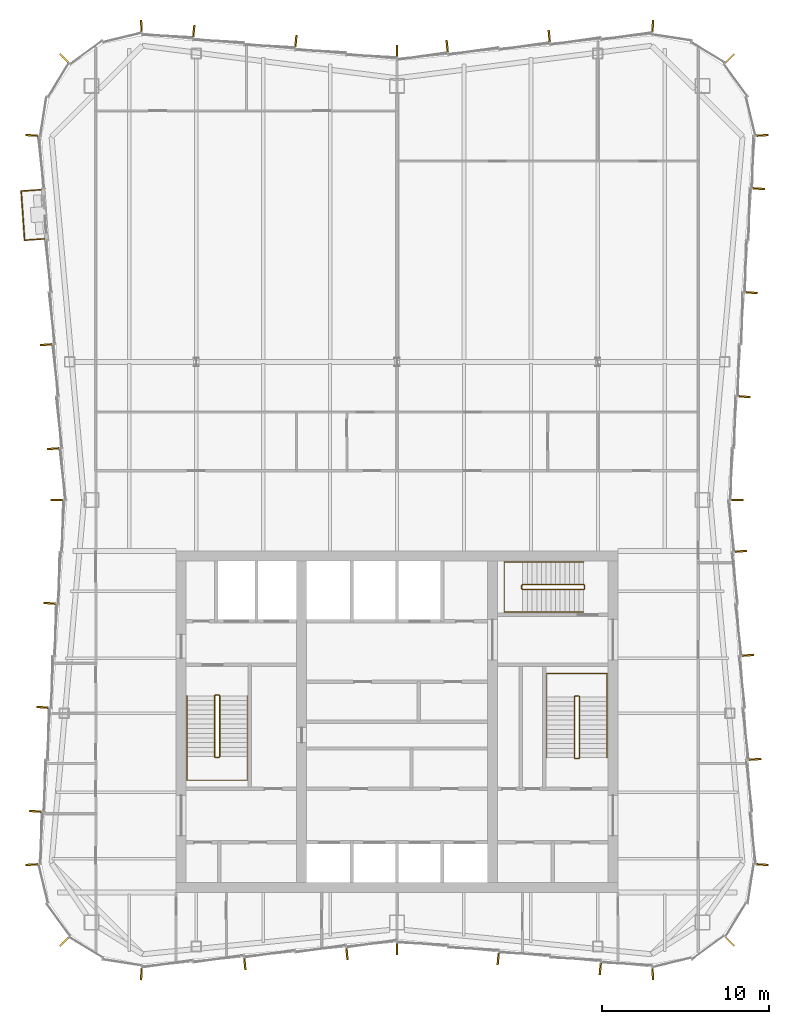
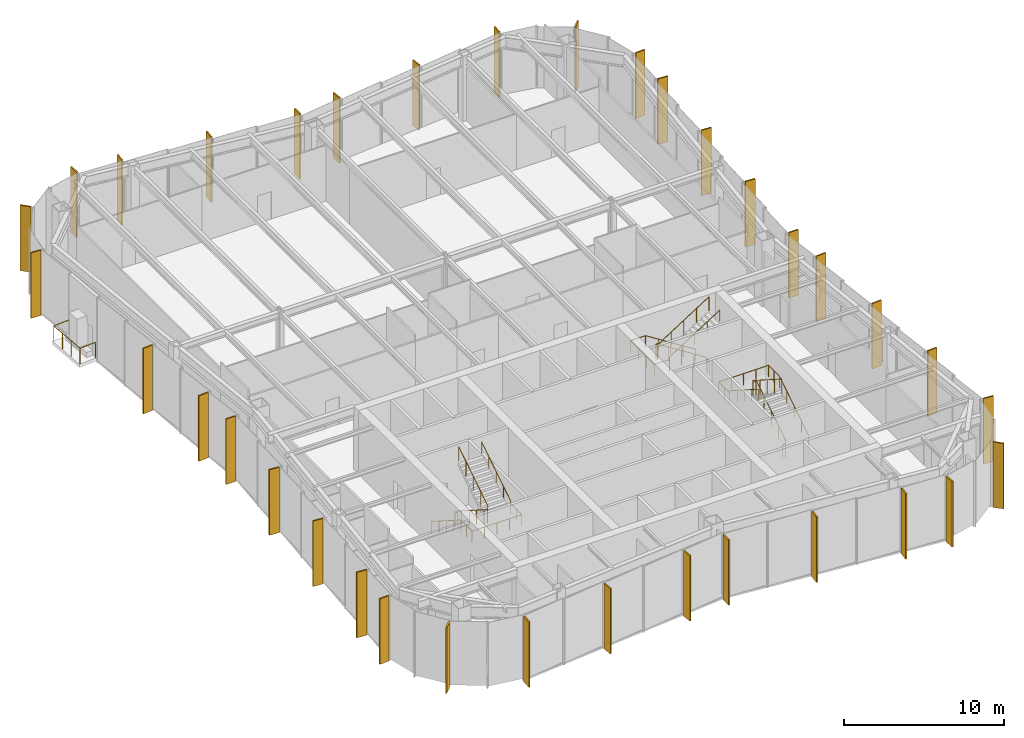
# One storey, part 13 of 14: 35 shading devices, 7 railings.
"""IFC4 building model written with IfcOpenShell, lengths in metres."""

from ifc_helpers import new_model, si_unit, direction, frame, origin, origin_2d, place, context, subcontext, project, spatial, rectangle, circle, extrude, material, layer, layer_set, type_object, element, save


model = new_model("IFC4")

# Units and contexts
model_context = context("Model", 3, precision=1e-05, world=origin(), true_north=direction((0.0, 1.0)))
body_context = subcontext(model_context, "Body", "Model", "MODEL_VIEW")
ifc_project = project(units=[si_unit("LENGTHUNIT", "METRE"), si_unit("AREAUNIT", "SQUARE_METRE"), si_unit("VOLUMEUNIT", "CUBIC_METRE"), si_unit("PLANEANGLEUNIT", "RADIAN"), si_unit("MASSUNIT", "GRAM", prefix="KILO")], contexts=[model_context])

# Site, building, storey
site_placement = place(None, origin())
site = spatial("IfcSite", under=ifc_project, at=site_placement, CompositionType="ELEMENT")
building_placement = place(site_placement, origin())
building = spatial("IfcBuilding", under=site, at=building_placement, Name="Verdant Reach Tower", CompositionType="ELEMENT")
storey_placement = place(building_placement, frame((0.0, 0.0, 289.0)))
storey = spatial("IfcBuildingStorey", under=building, at=storey_placement, Name="L66", CompositionType="ELEMENT", Elevation=289.0)

# Railings
ifc_material_1 = material(Name="Stainless steel", Category="steel")
railing_type_1 = type_object("IfcRailingType", Name="CO-GUARD", PredefinedType="GUARDRAIL", material=ifc_material_1)
railing_1_placement = place(storey_placement, frame((-10.64990234375, 29.60009765625, 0.0)))
element("IfcRailing", 1, at=railing_1_placement, inside=storey, type_object=railing_type_1, Name="L66 ST-1 stair guard 1", PredefinedType="GUARDRAIL", context=body_context, shape_type="SweptSolid", body=[
    extrude(circle(Radius=0.02392578125, at=origin_2d()), frame((0.0, 0.0, 1.076171875), z_axis=(-1.0, 0.0, 0.0), x_axis=(0.0, -1.0, 0.0)), (0.0, 0.0, 1.0), 0.2001953125),
    extrude(circle(Radius=0.02392578125, at=origin_2d()), frame((-0.2001953125, 0.0, 1.076171875), z_axis=(-0.25949872427, -0.26077077684, 0.929870428634), x_axis=(0.708833529934, -0.705375805398, 0.0)), (0.0, 0.0, 1.0), 0.19189453125),
    extrude(circle(Radius=0.02392578125, at=origin_2d()), frame((-0.25, -0.050048828125, 1.25439453125), z_axis=(0.0, -0.843127859045, 0.537713132908), x_axis=(1.0, 0.0, 0.0)), (0.0, 0.0, 1.0), 4.3173828125),
    extrude(circle(Radius=0.02392578125, at=origin_2d()), frame((-0.25, -3.690185546875, 3.576171875), z_axis=(0.707106781187, -0.707106781187, 0.0), x_axis=(0.707106781187, 0.707106781187, 0.0)), (0.0, 0.0, 1.0), 0.0703125),
    extrude(circle(Radius=0.02392578125, at=origin_2d()), frame((-0.2001953125, -3.739990234375, 3.576171875), z_axis=(1.0, 0.0, 0.0), x_axis=(0.0, 1.0, 0.0)), (0.0, 0.0, 1.0), 0.2001953125),
    extrude(circle(Radius=0.02392578125, at=origin_2d()), frame((0.0, -3.739990234375, 3.576171875), z_axis=(0.259584636361, 0.259584636361, 0.930178280294), x_axis=(-0.707106781187, 0.707106781187, 0.0)), (0.0, 0.0, 1.0), 0.19189453125),
    extrude(circle(Radius=0.02392578125, at=origin_2d()), frame((0.0498046875, -3.690185546875, 3.75439453125), z_axis=(0.0, 0.843127859045, 0.537713132908), x_axis=(-1.0, 0.0, 0.0)), (0.0, 0.0, 1.0), 4.3173828125),
    extrude(circle(Radius=0.02099609375, at=origin_2d()), origin(), (0.0, 0.0, 1.0), 1.052001953125),
    extrude(circle(Radius=0.02099609375, at=origin_2d()), frame((-0.2001953125, 0.0, 0.0)), (0.0, 0.0, 1.0), 1.052001953125),
    extrude(circle(Radius=0.02099609375, at=origin_2d()), frame((-0.25, -0.050048828125, 0.178466796875)), (0.0, 0.0, 1.0), 1.052001953125),
    extrude(circle(Radius=0.02099609375, at=origin_2d()), frame((-0.25, -0.9599609375, 0.7587890625)), (0.0, 0.0, 1.0), 1.052001953125),
    extrude(circle(Radius=0.02099609375, at=origin_2d()), frame((-0.25, -1.8701171875, 1.33935546875)), (0.0, 0.0, 1.0), 1.052001953125),
    extrude(circle(Radius=0.02099609375, at=origin_2d()), frame((-0.25, -2.7802734375, 1.919677734375)), (0.0, 0.0, 1.0), 1.052001953125),
    extrude(circle(Radius=0.02099609375, at=origin_2d()), frame((-0.25, -3.690185546875, 2.5)), (0.0, 0.0, 1.0), 1.052001953125),
    extrude(circle(Radius=0.02099609375, at=origin_2d()), frame((-0.2001953125, -3.739990234375, 2.5)), (0.0, 0.0, 1.0), 1.052001953125),
    extrude(circle(Radius=0.02099609375, at=origin_2d()), frame((0.0, -3.739990234375, 2.5)), (0.0, 0.0, 1.0), 1.052001953125),
    extrude(circle(Radius=0.02099609375, at=origin_2d()), frame((0.0498046875, -3.690185546875, 2.678466796875)), (0.0, 0.0, 1.0), 1.052001953125),
    extrude(circle(Radius=0.02099609375, at=origin_2d()), frame((0.0498046875, -2.7802734375, 3.2587890625)), (0.0, 0.0, 1.0), 1.052001953125),
    extrude(circle(Radius=0.02099609375, at=origin_2d()), frame((0.0498046875, -1.8701171875, 3.83935546875)), (0.0, 0.0, 1.0), 1.052001953125),
    extrude(circle(Radius=0.02099609375, at=origin_2d()), frame((0.0498046875, -0.9599609375, 4.419677734375)), (0.0, 0.0, 1.0), 1.052001953125),
    extrude(circle(Radius=0.02099609375, at=origin_2d()), frame((0.0498046875, -0.050048828125, 5.0)), (0.0, 0.0, 1.0), 1.052001953125),
])
railing_2_placement = place(storey_placement, frame((10.64990234375, 25.800048828125, 0.0)))
element("IfcRailing", 2, at=railing_2_placement, inside=storey, type_object=railing_type_1, Name="L66 ST-2 stair guard 1", PredefinedType="GUARDRAIL", context=body_context, shape_type="SweptSolid", body=[
    extrude(circle(Radius=0.02392578125, at=origin_2d()), frame((0.0, 0.0, 1.076171875), z_axis=(1.0, 0.0, 0.0), x_axis=(0.0, 1.0, 0.0)), (0.0, 0.0, 1.0), 0.2001953125),
    extrude(circle(Radius=0.02392578125, at=origin_2d()), frame((0.2001953125, 0.0, 1.076171875), z_axis=(0.25949872427, 0.26077077684, 0.929870428634), x_axis=(-0.708833529934, 0.705375805398, 0.0)), (0.0, 0.0, 1.0), 0.19189453125),
    extrude(circle(Radius=0.02392578125, at=origin_2d()), frame((0.25, 0.050048828125, 1.25439453125), z_axis=(0.0, 0.843111507901, 0.53773877045), x_axis=(-1.0, 0.0, 0.0)), (0.0, 0.0, 1.0), 4.317138671875),
    extrude(circle(Radius=0.02392578125, at=origin_2d()), frame((0.25, 3.68994140625, 3.576171875), z_axis=(-0.705375805398, 0.708833529934, 0.0), x_axis=(-0.708833529934, -0.705375805398, 0.0)), (0.0, 0.0, 1.0), 0.070556640625),
    extrude(circle(Radius=0.02392578125, at=origin_2d()), frame((0.2001953125, 3.739990234375, 3.576171875), z_axis=(-1.0, 0.0, 0.0), x_axis=(0.0, -1.0, 0.0)), (0.0, 0.0, 1.0), 0.2001953125),
    extrude(circle(Radius=0.02392578125, at=origin_2d()), frame((0.0, 3.739990234375, 3.576171875), z_axis=(-0.25949872427, -0.26077077684, 0.929870428634), x_axis=(0.708833529934, -0.705375805398, 0.0)), (0.0, 0.0, 1.0), 0.19189453125),
    extrude(circle(Radius=0.02392578125, at=origin_2d()), frame((-0.0498046875, 3.68994140625, 3.75439453125), z_axis=(0.0, -0.843111507901, 0.53773877045), x_axis=(1.0, 0.0, 0.0)), (0.0, 0.0, 1.0), 4.317138671875),
    extrude(circle(Radius=0.02099609375, at=origin_2d()), origin(), (0.0, 0.0, 1.0), 1.052001953125),
    extrude(circle(Radius=0.02099609375, at=origin_2d()), frame((0.2001953125, 0.0, 0.0)), (0.0, 0.0, 1.0), 1.052001953125),
    extrude(circle(Radius=0.02099609375, at=origin_2d()), frame((0.25, 0.050048828125, 0.178466796875)), (0.0, 0.0, 1.0), 1.052001953125),
    extrude(circle(Radius=0.02099609375, at=origin_2d()), frame((0.25, 0.9599609375, 0.7587890625)), (0.0, 0.0, 1.0), 1.052001953125),
    extrude(circle(Radius=0.02099609375, at=origin_2d()), frame((0.25, 1.8701171875, 1.33935546875)), (0.0, 0.0, 1.0), 1.052001953125),
    extrude(circle(Radius=0.02099609375, at=origin_2d()), frame((0.25, 2.780029296875, 1.919677734375)), (0.0, 0.0, 1.0), 1.052001953125),
    extrude(circle(Radius=0.02099609375, at=origin_2d()), frame((0.25, 3.68994140625, 2.5)), (0.0, 0.0, 1.0), 1.052001953125),
    extrude(circle(Radius=0.02099609375, at=origin_2d()), frame((0.2001953125, 3.739990234375, 2.5)), (0.0, 0.0, 1.0), 1.052001953125),
    extrude(circle(Radius=0.02099609375, at=origin_2d()), frame((0.0, 3.739990234375, 2.5)), (0.0, 0.0, 1.0), 1.052001953125),
    extrude(circle(Radius=0.02099609375, at=origin_2d()), frame((-0.0498046875, 3.68994140625, 2.678466796875)), (0.0, 0.0, 1.0), 1.052001953125),
    extrude(circle(Radius=0.02099609375, at=origin_2d()), frame((-0.0498046875, 2.780029296875, 3.2587890625)), (0.0, 0.0, 1.0), 1.052001953125),
    extrude(circle(Radius=0.02099609375, at=origin_2d()), frame((-0.0498046875, 1.8701171875, 3.83935546875)), (0.0, 0.0, 1.0), 1.052001953125),
    extrude(circle(Radius=0.02099609375, at=origin_2d()), frame((-0.0498046875, 0.9599609375, 4.419677734375)), (0.0, 0.0, 1.0), 1.052001953125),
    extrude(circle(Radius=0.02099609375, at=origin_2d()), frame((-0.0498046875, 0.050048828125, 5.0)), (0.0, 0.0, 1.0), 1.052001953125),
])
railing_3_placement = place(storey_placement, frame((11.199951171875, 35.949951171875, 0.0)))
element("IfcRailing", 3, at=railing_3_placement, inside=storey, type_object=railing_type_1, Name="L66 ST-3 stair guard 1", PredefinedType="GUARDRAIL", context=body_context, shape_type="SweptSolid", body=[
    extrude(circle(Radius=0.02392578125, at=origin_2d()), frame((0.0, 0.0, 1.076171875), z_axis=(0.0, 1.0, 0.0), x_axis=(-1.0, 0.0, 0.0)), (0.0, 0.0, 1.0), 0.199951171875),
    extrude(circle(Radius=0.02392578125, at=origin_2d()), frame((0.0, 0.199951171875, 1.076171875), z_axis=(-0.260684529273, 0.260684529273, 0.929562882432), x_axis=(-0.707106781187, -0.707106781187, 0.0)), (0.0, 0.0, 1.0), 0.19189453125),
    extrude(circle(Radius=0.02392578125, at=origin_2d()), frame((-0.050048828125, 0.25, 1.25439453125), z_axis=(-0.843111507901, 0.0, 0.53773877045), x_axis=(0.0, -1.0, 0.0)), (0.0, 0.0, 1.0), 4.317138671875),
    extrude(circle(Radius=0.02392578125, at=origin_2d()), frame((-3.68994140625, 0.25, 3.576171875), z_axis=(-0.707106781187, -0.707106781187, 0.0), x_axis=(0.707106781187, -0.707106781187, 0.0)), (0.0, 0.0, 1.0), 0.07080078125),
    extrude(circle(Radius=0.02392578125, at=origin_2d()), frame((-3.739990234375, 0.199951171875, 3.576171875), z_axis=(0.0, -1.0, 0.0), x_axis=(1.0, 0.0, 0.0)), (0.0, 0.0, 1.0), 0.199951171875),
    extrude(circle(Radius=0.02392578125, at=origin_2d()), frame((-3.739990234375, 0.0, 3.576171875), z_axis=(0.260684529273, -0.260684529273, 0.929562882432), x_axis=(0.707106781187, 0.707106781187, 0.0)), (0.0, 0.0, 1.0), 0.19189453125),
    extrude(circle(Radius=0.02392578125, at=origin_2d()), frame((-3.68994140625, -0.050048828125, 3.75439453125), z_axis=(0.843111507901, 0.0, 0.53773877045), x_axis=(0.0, 1.0, 0.0)), (0.0, 0.0, 1.0), 4.317138671875),
    extrude(circle(Radius=0.02099609375, at=origin_2d()), origin(), (0.0, 0.0, 1.0), 1.052001953125),
    extrude(circle(Radius=0.02099609375, at=origin_2d()), frame((0.0, 0.199951171875, 0.0)), (0.0, 0.0, 1.0), 1.052001953125),
    extrude(circle(Radius=0.02099609375, at=origin_2d()), frame((-0.050048828125, 0.25, 0.178466796875)), (0.0, 0.0, 1.0), 1.052001953125),
    extrude(circle(Radius=0.02099609375, at=origin_2d()), frame((-0.9599609375, 0.25, 0.7587890625)), (0.0, 0.0, 1.0), 1.052001953125),
    extrude(circle(Radius=0.02099609375, at=origin_2d()), frame((-1.8701171875, 0.25, 1.33935546875)), (0.0, 0.0, 1.0), 1.052001953125),
    extrude(circle(Radius=0.02099609375, at=origin_2d()), frame((-2.780029296875, 0.25, 1.919677734375)), (0.0, 0.0, 1.0), 1.052001953125),
    extrude(circle(Radius=0.02099609375, at=origin_2d()), frame((-3.68994140625, 0.25, 2.5)), (0.0, 0.0, 1.0), 1.052001953125),
    extrude(circle(Radius=0.02099609375, at=origin_2d()), frame((-3.739990234375, 0.199951171875, 2.5)), (0.0, 0.0, 1.0), 1.052001953125),
    extrude(circle(Radius=0.02099609375, at=origin_2d()), frame((-3.739990234375, 0.0, 2.5)), (0.0, 0.0, 1.0), 1.052001953125),
    extrude(circle(Radius=0.02099609375, at=origin_2d()), frame((-3.68994140625, -0.050048828125, 2.678466796875)), (0.0, 0.0, 1.0), 1.052001953125),
    extrude(circle(Radius=0.02099609375, at=origin_2d()), frame((-2.780029296875, -0.050048828125, 3.2587890625)), (0.0, 0.0, 1.0), 1.052001953125),
    extrude(circle(Radius=0.02099609375, at=origin_2d()), frame((-1.8701171875, -0.050048828125, 3.83935546875)), (0.0, 0.0, 1.0), 1.052001953125),
    extrude(circle(Radius=0.02099609375, at=origin_2d()), frame((-0.9599609375, -0.050048828125, 4.419677734375)), (0.0, 0.0, 1.0), 1.052001953125),
    extrude(circle(Radius=0.02099609375, at=origin_2d()), frame((-0.050048828125, -0.050048828125, 5.0)), (0.0, 0.0, 1.0), 1.052001953125),
])
railing_type_2 = type_object("IfcRailingType", Name="CO-HANDRAIL", PredefinedType="HANDRAIL", material=ifc_material_1)
railing_4_placement = place(storey_placement, frame((-12.550048828125, 29.550048828125, 0.178466796875)))
element("IfcRailing", 4, at=railing_4_placement, inside=storey, type_object=railing_type_2, Name="L66 ST-1 stair handrail 1", PredefinedType="HANDRAIL", context=body_context, shape_type="SweptSolid", body=[
    extrude(circle(Radius=0.02392578125, at=origin_2d()), frame((0.0, 0.0, 0.8759765625), z_axis=(0.0, -0.843127859045, 0.537713132908), x_axis=(1.0, 0.0, 0.0)), (0.0, 0.0, 1.0), 4.3173828125),
    extrude(circle(Radius=0.02392578125, at=origin_2d()), frame((0.0, -3.64013671875, 3.197265625), z_axis=(0.0, -1.0, 0.0), x_axis=(1.0, 0.0, 0.0)), (0.0, 0.0, 1.0), 1.39990234375),
    extrude(circle(Radius=0.02392578125, at=origin_2d()), frame((0.0, -5.0400390625, 3.197265625), z_axis=(1.0, 0.0, 0.0), x_axis=(0.0, 1.0, 0.0)), (0.0, 0.0, 1.0), 3.60009765625),
    extrude(circle(Radius=0.02392578125, at=origin_2d()), frame((3.60009765625, -5.0400390625, 3.197265625), z_axis=(0.0, 1.0, 0.0), x_axis=(-1.0, 0.0, 0.0)), (0.0, 0.0, 1.0), 1.39990234375),
    extrude(circle(Radius=0.02392578125, at=origin_2d()), frame((3.60009765625, -3.64013671875, 3.197265625), z_axis=(0.0, 0.0, 1.0), x_axis=(1.0, 0.0, 0.0)), (0.0, 0.0, 1.0), 0.178466796875),
    extrude(circle(Radius=0.02392578125, at=origin_2d()), frame((3.60009765625, -3.64013671875, 3.3759765625), z_axis=(0.0, 0.843127859045, 0.537713132908), x_axis=(-1.0, 0.0, 0.0)), (0.0, 0.0, 1.0), 4.3173828125),
    extrude(circle(Radius=0.02099609375, at=origin_2d()), origin(), (0.0, 0.0, 1.0), 0.851806640625),
    extrude(circle(Radius=0.02099609375, at=origin_2d()), frame((0.0, -0.91015625, 0.580322265625)), (0.0, 0.0, 1.0), 0.851806640625),
    extrude(circle(Radius=0.02099609375, at=origin_2d()), frame((0.0, -1.820068359375, 1.16064453125)), (0.0, 0.0, 1.0), 0.851806640625),
    extrude(circle(Radius=0.02099609375, at=origin_2d()), frame((0.0, -2.72998046875, 1.7412109375)), (0.0, 0.0, 1.0), 0.851806640625),
    extrude(circle(Radius=0.02099609375, at=origin_2d()), frame((0.0, -3.64013671875, 2.321533203125)), (0.0, 0.0, 1.0), 0.851806640625),
    extrude(circle(Radius=0.02099609375, at=origin_2d()), frame((0.0, -4.340087890625, 2.321533203125)), (0.0, 0.0, 1.0), 0.851806640625),
    extrude(circle(Radius=0.02099609375, at=origin_2d()), frame((0.0, -5.0400390625, 2.321533203125)), (0.0, 0.0, 1.0), 0.851806640625),
    extrude(circle(Radius=0.02099609375, at=origin_2d()), frame((0.89990234375, -5.0400390625, 2.321533203125)), (0.0, 0.0, 1.0), 0.851806640625),
    extrude(circle(Radius=0.02099609375, at=origin_2d()), frame((1.800048828125, -5.0400390625, 2.321533203125)), (0.0, 0.0, 1.0), 0.851806640625),
    extrude(circle(Radius=0.02099609375, at=origin_2d()), frame((2.7001953125, -5.0400390625, 2.321533203125)), (0.0, 0.0, 1.0), 0.851806640625),
    extrude(circle(Radius=0.02099609375, at=origin_2d()), frame((3.60009765625, -5.0400390625, 2.321533203125)), (0.0, 0.0, 1.0), 0.851806640625),
    extrude(circle(Radius=0.02099609375, at=origin_2d()), frame((3.60009765625, -4.340087890625, 2.321533203125)), (0.0, 0.0, 1.0), 0.851806640625),
    extrude(circle(Radius=0.02099609375, at=origin_2d()), frame((3.60009765625, -3.64013671875, 2.321533203125)), (0.0, 0.0, 1.0), 0.851806640625),
    extrude(circle(Radius=0.02099609375, at=origin_2d()), frame((3.60009765625, -3.64013671875, 2.5)), (0.0, 0.0, 1.0), 0.851806640625),
    extrude(circle(Radius=0.02099609375, at=origin_2d()), frame((3.60009765625, -2.72998046875, 3.080322265625)), (0.0, 0.0, 1.0), 0.851806640625),
    extrude(circle(Radius=0.02099609375, at=origin_2d()), frame((3.60009765625, -1.820068359375, 3.66064453125)), (0.0, 0.0, 1.0), 0.851806640625),
    extrude(circle(Radius=0.02099609375, at=origin_2d()), frame((3.60009765625, -0.91015625, 4.2412109375)), (0.0, 0.0, 1.0), 0.851806640625),
    extrude(circle(Radius=0.02099609375, at=origin_2d()), frame((3.60009765625, 0.0, 4.821533203125)), (0.0, 0.0, 1.0), 0.851806640625),
])
railing_5_placement = place(storey_placement, frame((12.550048828125, 25.85009765625, 0.178466796875)))
element("IfcRailing", 5, at=railing_5_placement, inside=storey, type_object=railing_type_2, Name="L66 ST-2 stair handrail 1", PredefinedType="HANDRAIL", context=body_context, shape_type="SweptSolid", body=[
    extrude(circle(Radius=0.02392578125, at=origin_2d()), frame((0.0, 0.0, 0.8759765625), z_axis=(0.0, 0.843111507901, 0.53773877045), x_axis=(-1.0, 0.0, 0.0)), (0.0, 0.0, 1.0), 4.317138671875),
    extrude(circle(Radius=0.02392578125, at=origin_2d()), frame((0.0, 3.639892578125, 3.197265625), z_axis=(0.0, 1.0, 0.0), x_axis=(-1.0, 0.0, 0.0)), (0.0, 0.0, 1.0), 1.39990234375),
    extrude(circle(Radius=0.02392578125, at=origin_2d()), frame((0.0, 5.039794921875, 3.197265625), z_axis=(-1.0, 0.0, 0.0), x_axis=(0.0, -1.0, 0.0)), (0.0, 0.0, 1.0), 3.60009765625),
    extrude(circle(Radius=0.02392578125, at=origin_2d()), frame((-3.60009765625, 5.039794921875, 3.197265625), z_axis=(0.0, -1.0, 0.0), x_axis=(1.0, 0.0, 0.0)), (0.0, 0.0, 1.0), 1.39990234375),
    extrude(circle(Radius=0.02392578125, at=origin_2d()), frame((-3.60009765625, 3.639892578125, 3.197265625), z_axis=(0.0, 0.0, 1.0), x_axis=(1.0, 0.0, 0.0)), (0.0, 0.0, 1.0), 0.178466796875),
    extrude(circle(Radius=0.02392578125, at=origin_2d()), frame((-3.60009765625, 3.639892578125, 3.3759765625), z_axis=(0.0, -0.843111507901, 0.53773877045), x_axis=(1.0, 0.0, 0.0)), (0.0, 0.0, 1.0), 4.317138671875),
    extrude(circle(Radius=0.02099609375, at=origin_2d()), origin(), (0.0, 0.0, 1.0), 0.851806640625),
    extrude(circle(Radius=0.02099609375, at=origin_2d()), frame((0.0, 0.909912109375, 0.580322265625)), (0.0, 0.0, 1.0), 0.851806640625),
    extrude(circle(Radius=0.02099609375, at=origin_2d()), frame((0.0, 1.81982421875, 1.16064453125)), (0.0, 0.0, 1.0), 0.851806640625),
    extrude(circle(Radius=0.02099609375, at=origin_2d()), frame((0.0, 2.72998046875, 1.7412109375)), (0.0, 0.0, 1.0), 0.851806640625),
    extrude(circle(Radius=0.02099609375, at=origin_2d()), frame((0.0, 3.639892578125, 2.321533203125)), (0.0, 0.0, 1.0), 0.851806640625),
    extrude(circle(Radius=0.02099609375, at=origin_2d()), frame((0.0, 4.33984375, 2.321533203125)), (0.0, 0.0, 1.0), 0.851806640625),
    extrude(circle(Radius=0.02099609375, at=origin_2d()), frame((0.0, 5.039794921875, 2.321533203125)), (0.0, 0.0, 1.0), 0.851806640625),
    extrude(circle(Radius=0.02099609375, at=origin_2d()), frame((-0.89990234375, 5.039794921875, 2.321533203125)), (0.0, 0.0, 1.0), 0.851806640625),
    extrude(circle(Radius=0.02099609375, at=origin_2d()), frame((-1.800048828125, 5.039794921875, 2.321533203125)), (0.0, 0.0, 1.0), 0.851806640625),
    extrude(circle(Radius=0.02099609375, at=origin_2d()), frame((-2.7001953125, 5.039794921875, 2.321533203125)), (0.0, 0.0, 1.0), 0.851806640625),
    extrude(circle(Radius=0.02099609375, at=origin_2d()), frame((-3.60009765625, 5.039794921875, 2.321533203125)), (0.0, 0.0, 1.0), 0.851806640625),
    extrude(circle(Radius=0.02099609375, at=origin_2d()), frame((-3.60009765625, 4.33984375, 2.321533203125)), (0.0, 0.0, 1.0), 0.851806640625),
    extrude(circle(Radius=0.02099609375, at=origin_2d()), frame((-3.60009765625, 3.639892578125, 2.321533203125)), (0.0, 0.0, 1.0), 0.851806640625),
    extrude(circle(Radius=0.02099609375, at=origin_2d()), frame((-3.60009765625, 3.639892578125, 2.5)), (0.0, 0.0, 1.0), 0.851806640625),
    extrude(circle(Radius=0.02099609375, at=origin_2d()), frame((-3.60009765625, 2.72998046875, 3.080322265625)), (0.0, 0.0, 1.0), 0.851806640625),
    extrude(circle(Radius=0.02099609375, at=origin_2d()), frame((-3.60009765625, 1.81982421875, 3.66064453125)), (0.0, 0.0, 1.0), 0.851806640625),
    extrude(circle(Radius=0.02099609375, at=origin_2d()), frame((-3.60009765625, 0.909912109375, 4.2412109375)), (0.0, 0.0, 1.0), 0.851806640625),
    extrude(circle(Radius=0.02099609375, at=origin_2d()), frame((-3.60009765625, 0.0, 4.821533203125)), (0.0, 0.0, 1.0), 0.851806640625),
])
railing_6_placement = place(storey_placement, frame((11.14990234375, 37.550048828125, 0.178466796875)))
element("IfcRailing", 6, at=railing_6_placement, inside=storey, type_object=railing_type_2, Name="L66 ST-3 stair handrail 1", PredefinedType="HANDRAIL", context=body_context, shape_type="SweptSolid", body=[
    extrude(circle(Radius=0.02392578125, at=origin_2d()), frame((0.0, 0.0, 0.8759765625), z_axis=(-0.843111507901, 0.0, 0.53773877045), x_axis=(0.0, -1.0, 0.0)), (0.0, 0.0, 1.0), 4.317138671875),
    extrude(circle(Radius=0.02392578125, at=origin_2d()), frame((-3.639892578125, 0.0, 3.197265625), z_axis=(-1.0, 0.0, 0.0), x_axis=(0.0, -1.0, 0.0)), (0.0, 0.0, 1.0), 1.10009765625),
    extrude(circle(Radius=0.02392578125, at=origin_2d()), frame((-4.739990234375, 0.0, 3.197265625), z_axis=(0.0, -1.0, 0.0), x_axis=(1.0, 0.0, 0.0)), (0.0, 0.0, 1.0), 3.0),
    extrude(circle(Radius=0.02392578125, at=origin_2d()), frame((-4.739990234375, -3.0, 3.197265625), z_axis=(1.0, 0.0, 0.0), x_axis=(0.0, 1.0, 0.0)), (0.0, 0.0, 1.0), 1.10009765625),
    extrude(circle(Radius=0.02392578125, at=origin_2d()), frame((-3.639892578125, -3.0, 3.197265625), z_axis=(0.0, 0.0, 1.0), x_axis=(1.0, 0.0, 0.0)), (0.0, 0.0, 1.0), 0.178466796875),
    extrude(circle(Radius=0.02392578125, at=origin_2d()), frame((-3.639892578125, -3.0, 3.3759765625), z_axis=(0.843111507901, 0.0, 0.53773877045), x_axis=(0.0, 1.0, 0.0)), (0.0, 0.0, 1.0), 4.317138671875),
    extrude(circle(Radius=0.02099609375, at=origin_2d()), origin(), (0.0, 0.0, 1.0), 0.851806640625),
    extrude(circle(Radius=0.02099609375, at=origin_2d()), frame((-0.909912109375, 0.0, 0.580322265625)), (0.0, 0.0, 1.0), 0.851806640625),
    extrude(circle(Radius=0.02099609375, at=origin_2d()), frame((-1.81982421875, 0.0, 1.16064453125)), (0.0, 0.0, 1.0), 0.851806640625),
    extrude(circle(Radius=0.02099609375, at=origin_2d()), frame((-2.72998046875, 0.0, 1.7412109375)), (0.0, 0.0, 1.0), 0.851806640625),
    extrude(circle(Radius=0.02099609375, at=origin_2d()), frame((-3.639892578125, 0.0, 2.321533203125)), (0.0, 0.0, 1.0), 0.851806640625),
    extrude(circle(Radius=0.02099609375, at=origin_2d()), frame((-4.739990234375, 0.0, 2.321533203125)), (0.0, 0.0, 1.0), 0.851806640625),
    extrude(circle(Radius=0.02099609375, at=origin_2d()), frame((-4.739990234375, -1.0, 2.321533203125)), (0.0, 0.0, 1.0), 0.851806640625),
    extrude(circle(Radius=0.02099609375, at=origin_2d()), frame((-4.739990234375, -2.0, 2.321533203125)), (0.0, 0.0, 1.0), 0.851806640625),
    extrude(circle(Radius=0.02099609375, at=origin_2d()), frame((-4.739990234375, -3.0, 2.321533203125)), (0.0, 0.0, 1.0), 0.851806640625),
    extrude(circle(Radius=0.02099609375, at=origin_2d()), frame((-3.639892578125, -3.0, 2.321533203125)), (0.0, 0.0, 1.0), 0.851806640625),
    extrude(circle(Radius=0.02099609375, at=origin_2d()), frame((-3.639892578125, -3.0, 2.5)), (0.0, 0.0, 1.0), 0.851806640625),
    extrude(circle(Radius=0.02099609375, at=origin_2d()), frame((-2.72998046875, -3.0, 3.080322265625)), (0.0, 0.0, 1.0), 0.851806640625),
    extrude(circle(Radius=0.02099609375, at=origin_2d()), frame((-1.81982421875, -3.0, 3.66064453125)), (0.0, 0.0, 1.0), 0.851806640625),
    extrude(circle(Radius=0.02099609375, at=origin_2d()), frame((-0.909912109375, -3.0, 4.2412109375)), (0.0, 0.0, 1.0), 0.851806640625),
    extrude(circle(Radius=0.02099609375, at=origin_2d()), frame((0.0, -3.0, 4.821533203125)), (0.0, 0.0, 1.0), 0.851806640625),
])

# Shading devices
ifc_material_2 = material(Name="Bronze fin, champagne", Category="aluminium")
ifc_layer_1 = layer(ifc_material_2, 0.10009765625)
ifc_layer_set_1 = layer_set([ifc_layer_1], Name="EN-FIN CHAMPAGNE")
shading_device_type_1 = type_object("IfcShadingDeviceType", Name="EN-FIN CHAMPAGNE", PredefinedType="USERDEFINED", material=ifc_layer_set_1)
for number, where, z_axis, x_axis, name in (
    (7, (19.90283203125, 14.84716796875, -0.35009765625), (0.0, 0.0, 1.0), (0.707106781187, 0.707106781187, 0.0), "Fin south-east corner 3, L66"),
    (8, (21.828857421875, 19.463134765625, -0.35009765625), (0.0, 0.0, 1.0), (0.063698618332, 0.997969180898, 0.0), "Fin east face part 1 1, L66"),
    (9, (20.757080078125, 47.42431640625, -0.35009765625), (0.0, 0.0, 1.0), (0.068802091615, 0.997630328423, 0.0), "Fin east face part 2 3, L66"),
    (10, (21.828857421875, 63.036865234375, -0.35009765625), (0.0, 0.0, 1.0), (-0.063698618332, 0.997969180898, 0.0), "Fin north-east corner 1, L66"),
    (11, (0.0, 68.080078125, -0.35009765625), (0.0, 0.0, 1.0), (-1.0, 0.0, 0.0), "Fin north face part 2 1, L66"),
    (12, (-20.971435546875, 50.531494140625, -0.35009765625), (0.0, 0.0, 1.0), (0.068802091615, -0.997630328423, 0.0), "Fin west face part 1 5, L66"),
    (13, (-21.6142578125, 22.64697265625, -0.35009765625), (0.0, 0.0, 1.0), (-0.068802091615, -0.997630328423, 0.0), "Fin west face part 2 7, L66"),
    (14, (-9.09326171875, 13.522705078125, -0.35009765625), (0.0, 0.0, 1.0), (0.995197410875, 0.09788826992, 0.0), "Fin south face part 1 3, L66"),
    (15, (12.143310546875, 13.222900390625, -0.35009765625), (0.0, 0.0, 1.0), (0.995197410875, -0.09788826992, 0.0), "Fin south face part 2 5, L66"),
):
    element("IfcShadingDevice", number, at=place(storey_placement, frame(where, z_axis=z_axis, x_axis=x_axis)), inside=storey, type_object=shading_device_type_1, Name=name, ObjectType="FIN", PredefinedType="USERDEFINED", context=body_context, shape_type="SweptSolid", body=[
        extrude(rectangle(XDim=0.10009765625, YDim=0.699951171875, at=origin_2d()), origin(), (0.0, 0.0, 1.0), 5.0),
    ])
ifc_material_3 = material(Name="Bronze fin, copper", Category="aluminium")
ifc_layer_2 = layer(ifc_material_3, 0.10009765625)
ifc_layer_set_2 = layer_set([ifc_layer_2], Name="EN-FIN COPPER")
shading_device_type_2 = type_object("IfcShadingDeviceType", Name="EN-FIN COPPER", PredefinedType="USERDEFINED", material=ifc_layer_set_2)
for number, where, z_axis, x_axis, name in (
    (16, (21.400146484375, 25.754150390625, -0.35009765625), (0.0, 0.0, 1.0), (-0.068802091615, 0.997630328423, 0.0), "Fin east face part 1 3, L66"),
    (17, (20.971435546875, 31.968505859375, -0.35009765625), (0.0, 0.0, 1.0), (-0.068802091615, 0.997630328423, 0.0), "Fin east face part 1 5, L66"),
    (18, (21.185791015625, 53.638671875, -0.35009765625), (0.0, 0.0, 1.0), (0.068802091615, 0.997630328423, 0.0), "Fin east face part 2 5, L66"),
    (19, (19.90283203125, 67.65283203125, -0.35009765625), (0.0, 0.0, 1.0), (-0.707106781187, 0.707106781187, 0.0), "Fin north-east corner 3, L66"),
    (20, (15.278564453125, 69.579345703125, -0.35009765625), (0.0, 0.0, 1.0), (-0.998792510626, 0.049127596288, 0.0), "Fin north face part 1 1, L66"),
    (21, (9.09326171875, 68.977294921875, -0.35009765625), (0.0, 0.0, 1.0), (-0.995197410875, -0.09788826992, 0.0), "Fin north face part 1 3, L66"),
    (22, (-6.043212890625, 68.67724609375, -0.35009765625), (0.0, 0.0, 1.0), (-0.995197410875, 0.09788826992, 0.0), "Fin north face part 2 3, L66"),
    (23, (-15.278564453125, 69.579345703125, -0.35009765625), (0.0, 0.0, 1.0), (-0.998792510626, -0.049127596288, 0.0), "Fin north-west corner 1, L66"),
    (24, (-19.90283203125, 67.65283203125, -0.35009765625), (0.0, 0.0, 1.0), (-0.707106781187, -0.707106781187, 0.0), "Fin north-west corner 3, L66"),
    (25, (-21.828857421875, 63.036865234375, -0.35009765625), (0.0, 0.0, 1.0), (-0.063698618332, -0.997969180898, 0.0), "Fin west face part 1 1, L66"),
    (26, (-20.54296875, 44.317138671875, -0.35009765625), (0.0, 0.0, 1.0), (0.068802091615, -0.997630328423, 0.0), "Fin west face part 1 7, L66"),
    (27, (-20.330078125, 41.25, -0.35009765625), (0.0, 0.0, 1.0), (0.0, -1.0, 0.0), "Fin west face part 2 1, L66"),
    (28, (-20.757080078125, 35.07568359375, -0.35009765625), (0.0, 0.0, 1.0), (-0.068802091615, -0.997630328423, 0.0), "Fin west face part 2 3, L66"),
    (29, (-21.828857421875, 19.463134765625, -0.35009765625), (0.0, 0.0, 1.0), (0.063698618332, -0.997969180898, 0.0), "Fin south-west corner 1, L66"),
    (30, (-2.9931640625, 14.122802734375, -0.35009765625), (0.0, 0.0, 1.0), (0.995197410875, 0.09788826992, 0.0), "Fin south face part 1 5, L66"),
):
    element("IfcShadingDevice", number, at=place(storey_placement, frame(where, z_axis=z_axis, x_axis=x_axis)), inside=storey, type_object=shading_device_type_2, Name=name, ObjectType="FIN", PredefinedType="USERDEFINED", context=body_context, shape_type="SweptSolid", body=[
        extrude(rectangle(XDim=0.10009765625, YDim=0.699951171875, at=origin_2d()), origin(), (0.0, 0.0, 1.0), 5.0),
    ])
ifc_material_4 = material(Name="Bronze fin, dark bronze", Category="aluminium")
ifc_layer_3 = layer(ifc_material_4, 0.10009765625)
ifc_layer_set_3 = layer_set([ifc_layer_3], Name="EN-FIN DARK")
shading_device_type_3 = type_object("IfcShadingDeviceType", Name="EN-FIN DARK", PredefinedType="USERDEFINED", material=ifc_layer_set_3)
for number, where, z_axis, x_axis, name in (
    (31, (15.278564453125, 12.920654296875, -0.35009765625), (0.0, 0.0, 1.0), (0.998792510626, 0.049127596288, 0.0), "Fin south-east corner 1, L66"),
    (32, (20.54296875, 38.182861328125, -0.35009765625), (0.0, 0.0, 1.0), (-0.068802091615, 0.997630328423, 0.0), "Fin east face part 1 7, L66"),
    (33, (20.330078125, 41.25, -0.35009765625), (0.0, 0.0, 1.0), (0.0, 1.0, 0.0), "Fin east face part 2 1, L66"),
    (34, (21.6142578125, 59.85302734375, -0.35009765625), (0.0, 0.0, 1.0), (0.068802091615, 0.997630328423, 0.0), "Fin east face part 2 7, L66"),
    (35, (2.9931640625, 68.377197265625, -0.35009765625), (0.0, 0.0, 1.0), (-0.995197410875, -0.09788826992, 0.0), "Fin north face part 1 5, L66"),
    (36, (-12.143310546875, 69.277099609375, -0.35009765625), (0.0, 0.0, 1.0), (-0.995197410875, 0.09788826992, 0.0), "Fin north face part 2 5, L66"),
    (37, (-21.185791015625, 28.861328125, -0.35009765625), (0.0, 0.0, 1.0), (-0.068802091615, -0.997630328423, 0.0), "Fin west face part 2 5, L66"),
    (38, (-19.90283203125, 14.84716796875, -0.35009765625), (0.0, 0.0, 1.0), (0.707106781187, -0.707106781187, 0.0), "Fin south-west corner 3, L66"),
    (39, (-15.278564453125, 12.920654296875, -0.35009765625), (0.0, 0.0, 1.0), (0.998792510626, -0.049127596288, 0.0), "Fin south face part 1 1, L66"),
    (40, (0.0, 14.419921875, -0.35009765625), (0.0, 0.0, 1.0), (1.0, 0.0, 0.0), "Fin south face part 2 1, L66"),
    (41, (6.043212890625, 13.82275390625, -0.35009765625), (0.0, 0.0, 1.0), (0.995197410875, -0.09788826992, 0.0), "Fin south face part 2 3, L66"),
):
    element("IfcShadingDevice", number, at=place(storey_placement, frame(where, z_axis=z_axis, x_axis=x_axis)), inside=storey, type_object=shading_device_type_3, Name=name, ObjectType="FIN", PredefinedType="USERDEFINED", context=body_context, shape_type="SweptSolid", body=[
        extrude(rectangle(XDim=0.10009765625, YDim=0.699951171875, at=origin_2d()), origin(), (0.0, 0.0, 1.0), 5.0),
    ])

# Railing
ifc_material_5 = material(Name="Stainless steel and laminated glass balustrade", Category="steel")
railing_type_3 = type_object("IfcRailingType", Name="EN-RAILING BALCONY", PredefinedType="GUARDRAIL", material=ifc_material_5)
railing_7_placement = place(storey_placement, frame((-21.289306640625, 59.790283203125, 0.0)))
element("IfcRailing", 42, at=railing_7_placement, inside=storey, type_object=railing_type_3, Name="Balcony guard 1, L66", PredefinedType="GUARDRAIL", context=body_context, shape_type="SweptSolid", body=[
    extrude(circle(Radius=0.02490234375, at=origin_2d()), frame((0.0, 0.0, 1.1748046875), z_axis=(-0.997626375729, -0.068859381717, 0.0), x_axis=(0.068859381717, -0.997626375729, 0.0)), (0.0, 0.0, 1.0), 1.169921875),
    extrude(circle(Radius=0.02490234375, at=origin_2d()), frame((-1.167236328125, -0.08056640625, 1.1748046875), z_axis=(0.068819165156, -0.997629150791, 0.0), x_axis=(0.997629150791, 0.068819165156, 0.0)), (0.0, 0.0, 1.0), 2.944580078125),
    extrude(circle(Radius=0.02490234375, at=origin_2d()), frame((-0.964599609375, -3.01806640625, 1.1748046875), z_axis=(0.997640688741, 0.068651701861, 0.0), x_axis=(-0.068651701861, 0.997640688741, 0.0)), (0.0, 0.0, 1.0), 1.169921875),
    extrude(circle(Radius=0.02490234375, at=origin_2d()), origin(), (0.0, 0.0, 1.0), 1.14990234375),
    extrude(circle(Radius=0.02490234375, at=origin_2d()), frame((-1.167236328125, -0.08056640625, 0.0)), (0.0, 0.0, 1.0), 1.14990234375),
    extrude(circle(Radius=0.02490234375, at=origin_2d()), frame((-1.099609375, -1.059814453125, 0.0)), (0.0, 0.0, 1.0), 1.14990234375),
    extrude(circle(Radius=0.02490234375, at=origin_2d()), frame((-1.0322265625, -2.038818359375, 0.0)), (0.0, 0.0, 1.0), 1.14990234375),
    extrude(circle(Radius=0.02490234375, at=origin_2d()), frame((-0.964599609375, -3.01806640625, 0.0)), (0.0, 0.0, 1.0), 1.14990234375),
    extrude(circle(Radius=0.02490234375, at=origin_2d()), frame((0.20263671875, -2.937744140625, 0.0)), (0.0, 0.0, 1.0), 1.14990234375),
])

save(model, "model.ifc")
